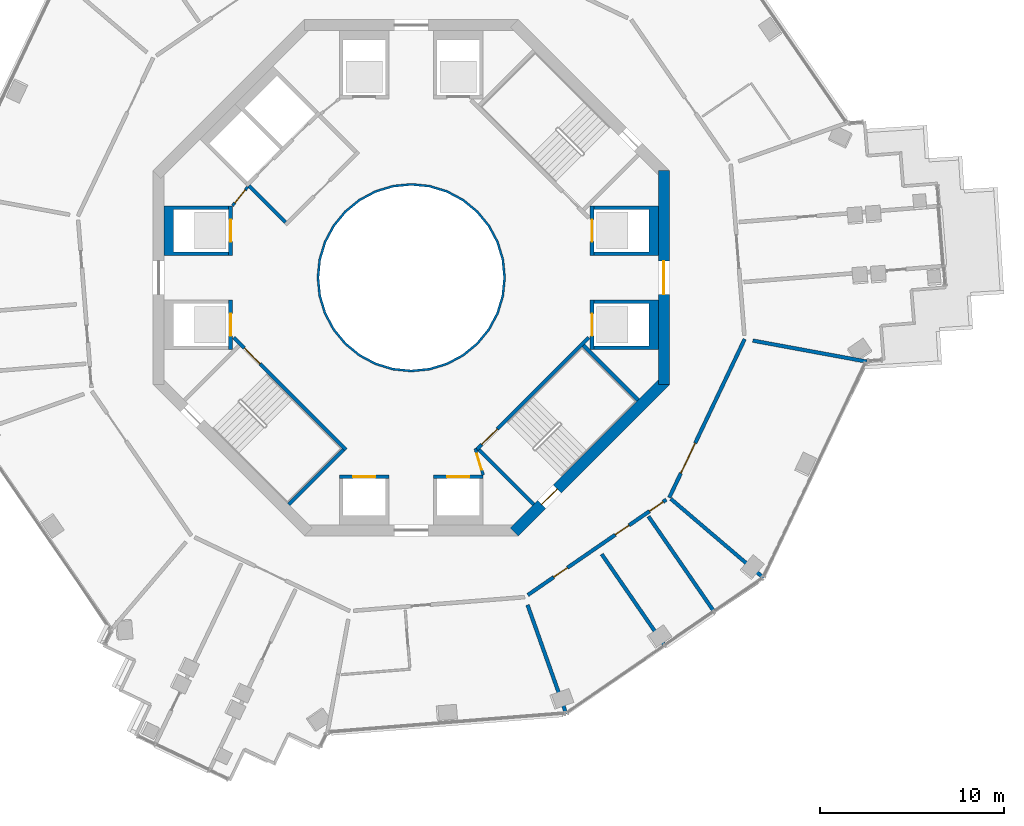
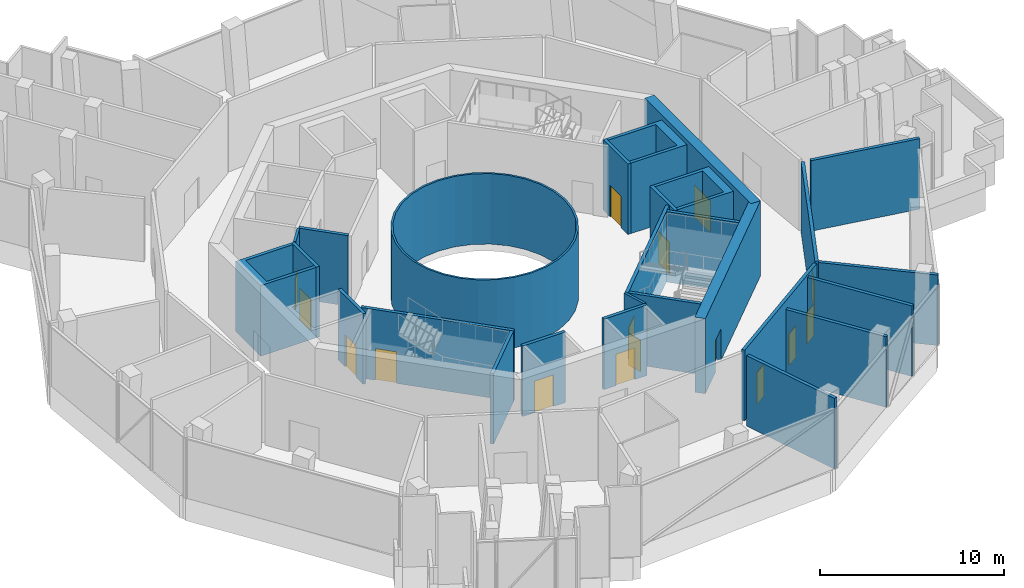
# One storey, part 12 of 21: 27 walls, 16 doors, 16 openings.
"""IFC4 building model written with IfcOpenShell, lengths in metres."""

from ifc_helpers import new_model, si_unit, direction, frame, frame_2d, origin, place, context, subcontext, project, spatial, polyline, rectangle, outline, extrude, material, layer, layer_set, type_object, element, fill, save


model = new_model("IFC4")

# Units and contexts
model_context = context("Model", 3, precision=1e-05, world=origin(), true_north=direction((0.0, 1.0)))
body_context = subcontext(model_context, "Body", "Model", "MODEL_VIEW")
ifc_project = project(units=[si_unit("LENGTHUNIT", "METRE"), si_unit("AREAUNIT", "SQUARE_METRE"), si_unit("VOLUMEUNIT", "CUBIC_METRE"), si_unit("PLANEANGLEUNIT", "RADIAN"), si_unit("MASSUNIT", "GRAM", prefix="KILO")], contexts=[model_context])

# Site, building, storey
site_placement = place(None, origin())
site = spatial("IfcSite", under=ifc_project, at=site_placement, CompositionType="ELEMENT")
building_placement = place(site_placement, origin())
building = spatial("IfcBuilding", under=site, at=building_placement, Name="Verdalira Terraces Hotel", CompositionType="ELEMENT")
storey_placement = place(building_placement, frame((0.0, 0.0, 175.0)))
storey = spatial("IfcBuildingStorey", under=building, at=storey_placement, Name="L42", CompositionType="ELEMENT", Elevation=175.0)

# Walls
ifc_material_1 = material(Name="Fire-resisting glass EI 180", Category="glass")
ifc_layer_1 = layer(ifc_material_1, 0.1201171875)
ifc_layer_set_1 = layer_set([ifc_layer_1], Name="Atrium fire screen 120 mm")
wall_type_1 = type_object("IfcWallType", Name="Atrium fire screen 120 mm", PredefinedType="SOLIDWALL", material=ifc_layer_set_1)
wall_1_placement = place(storey_placement, origin())
element("IfcWall", 1, at=wall_1_placement, inside=storey, type_object=wall_type_1, Name="Atrium fire screen", PredefinedType="SOLIDWALL", context=body_context, shape_type="SweptSolid", body=[
    extrude(outline(polyline([(5.021484, -0.998779), (4.730225, -1.959229), (4.25708, -2.844482), (3.620361, -3.620361), (2.844482, -4.25708), (1.959229, -4.730225), (0.998779, -5.021484), (0.0, -5.120117), (-0.998779, -5.021484), (-1.959229, -4.730225), (-2.844482, -4.25708), (-3.620361, -3.620361), (-4.25708, -2.844482), (-4.730225, -1.959229), (-5.021484, -0.998779), (-5.120117, 0.0), (-5.021484, 0.998779), (-4.730225, 1.959229), (-4.25708, 2.844482), (-3.620361, 3.620361), (-2.844482, 4.25708), (-1.959229, 4.730225), (-0.998779, 5.021484), (0.0, 5.120117), (0.998779, 5.021484), (1.959229, 4.730225), (2.844482, 4.25708), (3.620361, 3.620361), (4.25708, 2.844482), (4.730225, 1.959229), (5.021484, 0.998779), (5.120117, 0.0), (5.021484, -0.998779)]), holes=[polyline([(4.903809, 0.975586), (4.619385, 1.91333), (4.157227, 2.777832), (3.5354, 3.5354), (2.777832, 4.157227), (1.91333, 4.619385), (0.975586, 4.903809), (0.0, 5.0), (-0.975586, 4.903809), (-1.91333, 4.619385), (-2.777832, 4.157227), (-3.5354, 3.5354), (-4.157227, 2.777832), (-4.619385, 1.91333), (-4.903809, 0.975586), (-5.0, 0.0), (-4.903809, -0.975586), (-4.619385, -1.91333), (-4.157227, -2.777832), (-3.5354, -3.5354), (-2.777832, -4.157227), (-1.91333, -4.619385), (-0.975586, -4.903809), (0.0, -5.0), (0.975586, -4.903809), (1.91333, -4.619385), (2.777832, -4.157227), (3.5354, -3.5354), (4.157227, -2.777832), (4.619385, -1.91333), (4.903809, -0.975586), (5.0, 0.0), (4.903809, 0.975586)])]), origin(), (0.0, 0.0, 1.0), 4.689941),
])
ifc_material_2 = material(Name="Concrete C50", Category="concrete")
ifc_layer_2 = layer(ifc_material_2, 0.199951171875)
ifc_layer_set_2 = layer_set([ifc_layer_2], Name="Core RC wall 200 C50")
wall_type_2 = type_object("IfcWallType", Name="Core RC wall 200 C50", PredefinedType="SOLIDWALL", material=ifc_layer_set_2)
wall_2_placement = place(storey_placement, origin())
element("IfcWall", 2, at=wall_2_placement, inside=storey, type_object=wall_type_2, Name="L42 shaft wall E1", PredefinedType="SOLIDWALL", context=body_context, shape_type="SweptSolid", body=[
    extrude(outline(polyline([(13.399902, -3.899902), (9.899902, -3.899902), (9.899902, -3.699951), (12.899902, -3.699951), (12.899902, -1.399902), (9.899902, -1.399902), (9.899902, -1.199951), (13.399902, -1.199951), (13.399902, -3.899902)])), origin(), (0.0, 0.0, 1.0), 4.689941),
])

# Wall, opening, door
wall_3_placement = place(storey_placement, frame((9.800049, -1.199951, 0.0), z_axis=(0.0, 0.0, 1.0), x_axis=(0.0, -1.0, 0.0)))
wall_3 = element("IfcWall", 3, at=wall_3_placement, inside=storey, type_object=wall_type_2, Name="L42 shaft front wall E1", PredefinedType="SOLIDWALL", context=body_context, shape_type="SweptSolid", body=[
    extrude(rectangle(XDim=2.699951, YDim=0.199951, at=frame_2d((1.350098, 0.0))), origin(), (0.0, 0.0, 1.0), 4.689941),
])
opening_1_placement = place(wall_3_placement, frame((0.75, 0.0, 0.0)))
opening_1 = element("IfcOpeningElement", 4, at=opening_1_placement, cuts=wall_3, Name="Opening LD-L42-801", PredefinedType="OPENING", context=body_context, shape_type="SweptSolid", body=[
    extrude(rectangle(XDim=1.199951, YDim=2.100098, at=frame_2d((0.600098, 1.050049))), frame((0.0, 0.109863, 0.0), z_axis=(0.0, -1.0, 0.0), x_axis=(1.0, 0.0, 0.0)), (0.0, 0.0, 1.0), 0.219971),
])
ifc_material_3 = material(Name="Stainless steel", Category="steel")
door_type_1 = type_object("IfcDoorType", Name="Landing door 1200 x 2100", OperationType="NOTDEFINED", PredefinedType="DOOR", material=ifc_material_3)
door_1_placement = place(opening_1_placement, origin())
door_1 = element("IfcDoor", 5, at=door_1_placement, inside=storey, type_object=door_type_1, Name="Lift landing door HR1 L42", OperationType="DOUBLE_DOOR_SLIDING", OverallHeight=2.10009765625, OverallWidth=1.199951171875, PredefinedType="DOOR", context=body_context, shape_type="SweptSolid", body=[
    extrude(rectangle(XDim=1.199951, YDim=2.100098, at=frame_2d((0.600098, 1.050049))), frame((0.0, 0.024902, 0.0), z_axis=(0.0, -1.0, 0.0), x_axis=(1.0, 0.0, 0.0)), (0.0, 0.0, 1.0), 0.050049),
])
fill(opening_1, door_1)

# Wall
wall_4_placement = place(storey_placement, origin())
element("IfcWall", 6, at=wall_4_placement, inside=storey, type_object=wall_type_2, Name="L42 shaft wall E2", PredefinedType="SOLIDWALL", context=body_context, shape_type="SweptSolid", body=[
    extrude(outline(polyline([(13.399902, 3.899902), (13.399902, 1.199951), (9.899902, 1.199951), (9.899902, 1.399902), (12.899902, 1.399902), (12.899902, 3.699951), (9.899902, 3.699951), (9.899902, 3.899902), (13.399902, 3.899902)])), origin(), (0.0, 0.0, 1.0), 4.689941),
])

# Wall, opening, door
wall_5_placement = place(storey_placement, frame((9.800049, 1.199951, 0.0), z_axis=(0.0, 0.0, 1.0), x_axis=(0.0, 1.0, 0.0)))
wall_5 = element("IfcWall", 7, at=wall_5_placement, inside=storey, type_object=wall_type_2, Name="L42 shaft front wall E2", PredefinedType="SOLIDWALL", context=body_context, shape_type="SweptSolid", body=[
    extrude(rectangle(XDim=2.699951, YDim=0.199951, at=frame_2d((1.350098, 0.0))), origin(), (0.0, 0.0, 1.0), 4.689941),
])
opening_2_placement = place(wall_5_placement, frame((0.75, 0.0, 0.0)))
opening_2 = element("IfcOpeningElement", 8, at=opening_2_placement, cuts=wall_5, Name="Opening LD-L42-802", PredefinedType="OPENING", context=body_context, shape_type="SweptSolid", body=[
    extrude(rectangle(XDim=1.199951, YDim=2.100098, at=frame_2d((0.600098, 1.050049))), frame((0.0, 0.109863, 0.0), z_axis=(0.0, -1.0, 0.0), x_axis=(1.0, 0.0, 0.0)), (0.0, 0.0, 1.0), 0.219971),
])
door_2_placement = place(opening_2_placement, origin())
door_2 = element("IfcDoor", 9, at=door_2_placement, inside=storey, type_object=door_type_1, Name="Lift landing door HR2 L42", OperationType="DOUBLE_DOOR_SLIDING", OverallHeight=2.10009765625, OverallWidth=1.199951171875, PredefinedType="DOOR", context=body_context, shape_type="SweptSolid", body=[
    extrude(rectangle(XDim=1.199951, YDim=2.100098, at=frame_2d((0.600098, 1.050049))), frame((0.0, 0.024902, 0.0), z_axis=(0.0, -1.0, 0.0), x_axis=(1.0, 0.0, 0.0)), (0.0, 0.0, 1.0), 0.050049),
])
fill(opening_2, door_2)

# Wall
wall_6_placement = place(storey_placement, origin())
element("IfcWall", 10, at=wall_6_placement, inside=storey, type_object=wall_type_2, Name="L42 shaft wall W1", PredefinedType="SOLIDWALL", context=body_context, shape_type="SweptSolid", body=[
    extrude(outline(polyline([(-13.399902, 3.899902), (-9.899902, 3.899902), (-9.899902, 3.699951), (-12.899902, 3.699951), (-12.899902, 1.399902), (-9.899902, 1.399902), (-9.899902, 1.199951), (-13.399902, 1.199951), (-13.399902, 3.899902)])), origin(), (0.0, 0.0, 1.0), 4.689941),
])

# Wall, opening, door
wall_7_placement = place(storey_placement, frame((-9.800049, 1.199951, 0.0), z_axis=(0.0, 0.0, 1.0), x_axis=(0.0, 1.0, 0.0)))
wall_7 = element("IfcWall", 11, at=wall_7_placement, inside=storey, type_object=wall_type_2, Name="L42 shaft front wall W1", PredefinedType="SOLIDWALL", context=body_context, shape_type="SweptSolid", body=[
    extrude(rectangle(XDim=2.699951, YDim=0.199951, at=frame_2d((1.350098, 0.0))), origin(), (0.0, 0.0, 1.0), 4.689941),
])
opening_3_placement = place(wall_7_placement, frame((0.75, 0.0, 0.0)))
opening_3 = element("IfcOpeningElement", 12, at=opening_3_placement, cuts=wall_7, Name="Opening LD-L42-805", PredefinedType="OPENING", context=body_context, shape_type="SweptSolid", body=[
    extrude(rectangle(XDim=1.199951, YDim=2.100098, at=frame_2d((0.600098, 1.050049))), frame((0.0, 0.109863, 0.0), z_axis=(0.0, -1.0, 0.0), x_axis=(1.0, 0.0, 0.0)), (0.0, 0.0, 1.0), 0.219971),
])
door_3_placement = place(opening_3_placement, origin())
door_3 = element("IfcDoor", 13, at=door_3_placement, inside=storey, type_object=door_type_1, Name="Lift landing door HR5 L42", OperationType="DOUBLE_DOOR_SLIDING", OverallHeight=2.10009765625, OverallWidth=1.199951171875, PredefinedType="DOOR", context=body_context, shape_type="SweptSolid", body=[
    extrude(rectangle(XDim=1.199951, YDim=2.100098, at=frame_2d((0.600098, 1.050049))), frame((0.0, 0.024902, 0.0), z_axis=(0.0, -1.0, 0.0), x_axis=(1.0, 0.0, 0.0)), (0.0, 0.0, 1.0), 0.050049),
])
fill(opening_3, door_3)

wall_8_placement = place(storey_placement, frame((-9.800049, -1.199951, 0.0), z_axis=(0.0, 0.0, 1.0), x_axis=(0.0, -1.0, 0.0)))
wall_8 = element("IfcWall", 14, at=wall_8_placement, inside=storey, type_object=wall_type_2, Name="L42 shaft front wall W2", PredefinedType="SOLIDWALL", context=body_context, shape_type="SweptSolid", body=[
    extrude(rectangle(XDim=2.699951, YDim=0.199951, at=frame_2d((1.350098, 0.0))), origin(), (0.0, 0.0, 1.0), 4.689941),
])
opening_4_placement = place(wall_8_placement, frame((0.75, 0.0, 0.0)))
opening_4 = element("IfcOpeningElement", 15, at=opening_4_placement, cuts=wall_8, Name="Opening LD-L42-806", PredefinedType="OPENING", context=body_context, shape_type="SweptSolid", body=[
    extrude(rectangle(XDim=1.199951, YDim=2.100098, at=frame_2d((0.600098, 1.050049))), frame((0.0, 0.109863, 0.0), z_axis=(0.0, -1.0, 0.0), x_axis=(1.0, 0.0, 0.0)), (0.0, 0.0, 1.0), 0.219971),
])
door_4_placement = place(opening_4_placement, origin())
door_4 = element("IfcDoor", 16, at=door_4_placement, inside=storey, type_object=door_type_1, Name="Lift landing door HR6 L42", OperationType="DOUBLE_DOOR_SLIDING", OverallHeight=2.10009765625, OverallWidth=1.199951171875, PredefinedType="DOOR", context=body_context, shape_type="SweptSolid", body=[
    extrude(rectangle(XDim=1.199951, YDim=2.100098, at=frame_2d((0.600098, 1.050049))), frame((0.0, 0.024902, 0.0), z_axis=(0.0, -1.0, 0.0), x_axis=(1.0, 0.0, 0.0)), (0.0, 0.0, 1.0), 0.050049),
])
fill(opening_4, door_4)

wall_9_placement = place(storey_placement, frame((-1.199951, -10.800049, 0.0), z_axis=(0.0, 0.0, 1.0), x_axis=(-1.0, 0.0, 0.0)))
wall_9 = element("IfcWall", 17, at=wall_9_placement, inside=storey, type_object=wall_type_2, Name="L42 shaft front wall S1", PredefinedType="SOLIDWALL", context=body_context, shape_type="SweptSolid", body=[
    extrude(rectangle(XDim=2.699951, YDim=0.199951, at=frame_2d((1.350098, 0.0))), origin(), (0.0, 0.0, 1.0), 4.689941),
])
opening_5_placement = place(wall_9_placement, frame((0.75, 0.0, 0.0)))
opening_5 = element("IfcOpeningElement", 18, at=opening_5_placement, cuts=wall_9, Name="Opening LD-L42-807", PredefinedType="OPENING", context=body_context, shape_type="SweptSolid", body=[
    extrude(rectangle(XDim=1.199951, YDim=2.100098, at=frame_2d((0.600098, 1.050049))), frame((0.0, 0.109863, 0.0), z_axis=(0.0, -1.0, 0.0), x_axis=(1.0, 0.0, 0.0)), (0.0, 0.0, 1.0), 0.219971),
])
door_5_placement = place(opening_5_placement, origin())
door_5 = element("IfcDoor", 19, at=door_5_placement, inside=storey, type_object=door_type_1, Name="Lift landing door SH1 L42", OperationType="DOUBLE_DOOR_SLIDING", OverallHeight=2.10009765625, OverallWidth=1.199951171875, PredefinedType="DOOR", context=body_context, shape_type="SweptSolid", body=[
    extrude(rectangle(XDim=1.199951, YDim=2.100098, at=frame_2d((0.600098, 1.050049))), frame((0.0, 0.024902, 0.0), z_axis=(0.0, -1.0, 0.0), x_axis=(1.0, 0.0, 0.0)), (0.0, 0.0, 1.0), 0.050049),
])
fill(opening_5, door_5)

wall_10_placement = place(storey_placement, frame((1.199951, -10.800049, 0.0), z_axis=(0.0, 0.0, 1.0), x_axis=(1.0, 0.0, 0.0)))
wall_10 = element("IfcWall", 20, at=wall_10_placement, inside=storey, type_object=wall_type_2, Name="L42 shaft front wall S2", PredefinedType="SOLIDWALL", context=body_context, shape_type="SweptSolid", body=[
    extrude(rectangle(XDim=2.699951, YDim=0.199951, at=frame_2d((1.350098, 0.0))), origin(), (0.0, 0.0, 1.0), 4.689941),
])
opening_6_placement = place(wall_10_placement, frame((0.75, 0.0, 0.0)))
opening_6 = element("IfcOpeningElement", 21, at=opening_6_placement, cuts=wall_10, Name="Opening LD-L42-808", PredefinedType="OPENING", context=body_context, shape_type="SweptSolid", body=[
    extrude(rectangle(XDim=1.199951, YDim=2.100098, at=frame_2d((0.600098, 1.050049))), frame((0.0, 0.109863, 0.0), z_axis=(0.0, -1.0, 0.0), x_axis=(1.0, 0.0, 0.0)), (0.0, 0.0, 1.0), 0.219971),
])
door_6_placement = place(opening_6_placement, origin())
door_6 = element("IfcDoor", 22, at=door_6_placement, inside=storey, type_object=door_type_1, Name="Lift landing door SH2 L42", OperationType="DOUBLE_DOOR_SLIDING", OverallHeight=2.10009765625, OverallWidth=1.199951171875, PredefinedType="DOOR", context=body_context, shape_type="SweptSolid", body=[
    extrude(rectangle(XDim=1.199951, YDim=2.100098, at=frame_2d((0.600098, 1.050049))), frame((0.0, 0.024902, 0.0), z_axis=(0.0, -1.0, 0.0), x_axis=(1.0, 0.0, 0.0)), (0.0, 0.0, 1.0), 0.050049),
])
fill(opening_6, door_6)

wall_11_placement = place(storey_placement, frame((-3.5354, -9.33374, 0.0), z_axis=(0.0, 0.0, 1.0), x_axis=(-0.707120946, 0.707092617, 0.0)))
wall_11 = element("IfcWall", 23, at=wall_11_placement, inside=storey, type_object=wall_type_2, Name="L42 stair ST2 front wall", PredefinedType="SOLIDWALL", context=body_context, shape_type="SweptSolid", body=[
    extrude(rectangle(XDim=8.61792, YDim=0.199951, at=frame_2d((4.309082, 0.0))), origin(), (0.0, 0.0, 1.0), 4.689941),
])
opening_7_placement = place(wall_11_placement, frame((6.600098, 0.0, 0.0)))
opening_7 = element("IfcOpeningElement", 24, at=opening_7_placement, cuts=wall_11, Name="Opening L42-812", PredefinedType="OPENING", context=body_context, shape_type="SweptSolid", body=[
    extrude(rectangle(XDim=1.199951, YDim=2.100098, at=frame_2d((0.600098, 1.050049))), frame((0.0, 0.109863, 0.0), z_axis=(0.0, -1.0, 0.0), x_axis=(1.0, 0.0, 0.0)), (0.0, 0.0, 1.0), 0.219971),
])
ifc_material_4 = material(Name="Steel fire door", Category="steel")
door_type_2 = type_object("IfcDoorType", Name="Stair door 1200 x 2100", OperationType="NOTDEFINED", PredefinedType="DOOR", material=ifc_material_4)
door_7_placement = place(opening_7_placement, origin())
door_7 = element("IfcDoor", 25, at=door_7_placement, inside=storey, type_object=door_type_2, Name="Stair door ST2 L42", OperationType="SINGLE_SWING_RIGHT", OverallHeight=2.10009765625, OverallWidth=1.199951171875, PredefinedType="DOOR", context=body_context, shape_type="SweptSolid", body=[
    extrude(rectangle(XDim=1.199951, YDim=2.100098, at=frame_2d((0.600098, 1.050049))), frame((0.0, 0.024902, 0.0), z_axis=(0.0, -1.0, 0.0), x_axis=(1.0, 0.0, 0.0)), (0.0, 0.0, 1.0), 0.050049),
])
fill(opening_7, door_7)

# Wall
wall_12_placement = place(storey_placement, frame((-3.677002, -9.33374, 0.0), z_axis=(0.0, 0.0, 1.0), x_axis=(-0.707077716, -0.707135845, 0.0)))
element("IfcWall", 26, at=wall_12_placement, inside=storey, type_object=wall_type_2, Name="L42 stair ST2 end wall 2", PredefinedType="SOLIDWALL", context=body_context, shape_type="SweptSolid", body=[
    extrude(rectangle(XDim=4.199951, YDim=0.199951, at=frame_2d((2.100098, 0.0))), origin(), (0.0, 0.0, 1.0), 4.689941),
])

# Wall, opening, door
wall_13_placement = place(storey_placement, frame((9.629395, -3.23999, 0.0), z_axis=(0.0, 0.0, 1.0), x_axis=(-0.707120946, -0.707092617, 0.0)))
wall_13 = element("IfcWall", 27, at=wall_13_placement, inside=storey, type_object=wall_type_2, Name="L42 stair ST3 front wall", PredefinedType="SOLIDWALL", context=body_context, shape_type="SweptSolid", body=[
    extrude(rectangle(XDim=8.61792, YDim=0.199951, at=frame_2d((4.309082, 0.0))), origin(), (0.0, 0.0, 1.0), 4.689941),
])
opening_8_placement = place(wall_13_placement, frame((7.017822, 0.0, 0.0)))
opening_8 = element("IfcOpeningElement", 28, at=opening_8_placement, cuts=wall_13, Name="Opening L42-813", PredefinedType="OPENING", context=body_context, shape_type="SweptSolid", body=[
    extrude(rectangle(XDim=1.199951, YDim=2.100098, at=frame_2d((0.600098, 1.050049))), frame((0.0, 0.109863, 0.0), z_axis=(0.0, -1.0, 0.0), x_axis=(1.0, 0.0, 0.0)), (0.0, 0.0, 1.0), 0.219971),
])
door_8_placement = place(opening_8_placement, origin())
door_8 = element("IfcDoor", 29, at=door_8_placement, inside=storey, type_object=door_type_2, Name="Stair door ST3 L42", OperationType="SINGLE_SWING_RIGHT", OverallHeight=2.10009765625, OverallWidth=1.199951171875, PredefinedType="DOOR", context=body_context, shape_type="SweptSolid", body=[
    extrude(rectangle(XDim=1.199951, YDim=2.100098, at=frame_2d((0.600098, 1.050049))), frame((0.0, 0.024902, 0.0), z_axis=(0.0, -1.0, 0.0), x_axis=(1.0, 0.0, 0.0)), (0.0, 0.0, 1.0), 0.050049),
])
fill(opening_8, door_8)

# Walls
for number, where, z_axis, x_axis, name in (
    (30, (3.677002, -9.33374, 0.0), (0.0, 0.0, 1.0), (0.707077716, -0.707135845, 0.0), "L42 stair ST3 end wall 1"),
    (31, (9.33374, -3.677002, 0.0), (0.0, 0.0, 1.0), (0.707135845, -0.707077716, 0.0), "L42 stair ST3 end wall 2"),
):
    element("IfcWall", number, at=place(storey_placement, frame(where, z_axis=z_axis, x_axis=x_axis)), inside=storey, type_object=wall_type_2, Name=name, PredefinedType="SOLIDWALL", context=body_context, shape_type="SweptSolid", body=[
        extrude(rectangle(XDim=4.199951, YDim=0.199951, at=frame_2d((2.100098, 0.0))), origin(), (0.0, 0.0, 1.0), 4.689941),
    ])
wall_14_placement = place(storey_placement, frame((-6.823486, 3.005127, 0.0), z_axis=(0.0, 0.0, 1.0), x_axis=(-0.707106781, 0.707106781, 0.0)))
element("IfcWall", 32, at=wall_14_placement, inside=storey, type_object=wall_type_2, Name="L42 fire lobby wall", PredefinedType="SOLIDWALL", context=body_context, shape_type="SweptSolid", body=[
    extrude(rectangle(XDim=2.800049, YDim=0.199951, at=frame_2d((1.399902, 0.0))), origin(), (0.0, 0.0, 1.0), 4.689941),
])

# Wall, opening, door
ifc_material_5 = material(Name="Gypsum board partition")
ifc_layer_3 = layer(ifc_material_5, 0.14990234375)
ifc_layer_set_3 = layer_set([ifc_layer_3], Name="Core partition 150 mm")
wall_type_3 = type_object("IfcWallType", Name="Core partition 150 mm", PredefinedType="PARTITIONING", material=ifc_layer_set_3)
wall_15_placement = place(storey_placement, frame((-8.874268, 4.914307, 0.0), z_axis=(0.0, 0.0, 1.0), x_axis=(-0.631274009, -0.775559878, 0.0)))
wall_15 = element("IfcWall", 33, at=wall_15_placement, inside=storey, type_object=wall_type_3, Name="Room partition L42", PredefinedType="PARTITIONING", context=body_context, shape_type="SweptSolid", body=[
    extrude(rectangle(XDim=1.307861, YDim=0.149902, at=frame_2d((0.653809, 0.0))), origin(), (0.0, 0.0, 1.0), 4.689941),
])
opening_9_placement = place(wall_15_placement, frame((0.204102, 0.0, 0.0)))
opening_9 = element("IfcOpeningElement", 34, at=opening_9_placement, cuts=wall_15, Name="Opening L42-823", PredefinedType="OPENING", context=body_context, shape_type="SweptSolid", body=[
    extrude(rectangle(XDim=0.899902, YDim=2.100098, at=frame_2d((0.449951, 1.050049))), frame((0.0, 0.084961, 0.0), z_axis=(0.0, -1.0, 0.0), x_axis=(1.0, 0.0, 0.0)), (0.0, 0.0, 1.0), 0.169922),
])
ifc_material_6 = material(Name="Steel fire door", Category="steel")
door_type_3 = type_object("IfcDoorType", Name="Core room door 900 x 2100", OperationType="NOTDEFINED", PredefinedType="DOOR", material=ifc_material_6)
door_9_placement = place(opening_9_placement, origin())
door_9 = element("IfcDoor", 35, at=door_9_placement, inside=storey, type_object=door_type_3, Name="Door L42 room3", OperationType="SINGLE_SWING_LEFT", OverallHeight=2.10009765625, OverallWidth=0.89990234375, PredefinedType="DOOR", context=body_context, shape_type="SweptSolid", body=[
    extrude(rectangle(XDim=0.899902, YDim=2.100098, at=frame_2d((0.449951, 1.050049))), frame((0.0, 0.024902, 0.0), z_axis=(0.0, -1.0, 0.0), x_axis=(1.0, 0.0, 0.0)), (0.0, 0.0, 1.0), 0.050049),
])
fill(opening_9, door_9)

wall_16_placement = place(storey_placement, frame((3.899902, -10.699951, 0.0), z_axis=(0.0, 0.0, 1.0), x_axis=(-0.289808785, 0.957084567, 0.0)))
wall_16 = element("IfcWall", 36, at=wall_16_placement, inside=storey, type_object=wall_type_3, Name="Room partition L42", PredefinedType="PARTITIONING", context=body_context, shape_type="SweptSolid", body=[
    extrude(rectangle(XDim=1.501221, YDim=0.149902, at=frame_2d((0.750488, 0.0))), origin(), (0.0, 0.0, 1.0), 4.689941),
])
opening_10_placement = place(wall_16_placement, frame((0.300781, 0.0, 0.0)))
opening_10 = element("IfcOpeningElement", 37, at=opening_10_placement, cuts=wall_16, Name="Opening L42-824", PredefinedType="OPENING", context=body_context, shape_type="SweptSolid", body=[
    extrude(rectangle(XDim=0.899902, YDim=2.100098, at=frame_2d((0.449951, 1.050049))), frame((0.0, 0.084961, 0.0), z_axis=(0.0, -1.0, 0.0), x_axis=(1.0, 0.0, 0.0)), (0.0, 0.0, 1.0), 0.169922),
])
door_10_placement = place(opening_10_placement, origin())
door_10 = element("IfcDoor", 38, at=door_10_placement, inside=storey, type_object=door_type_3, Name="Door L42 room6", OperationType="SINGLE_SWING_LEFT", OverallHeight=2.10009765625, OverallWidth=0.89990234375, PredefinedType="DOOR", context=body_context, shape_type="SweptSolid", body=[
    extrude(rectangle(XDim=0.899902, YDim=2.100098, at=frame_2d((0.449951, 1.050049))), frame((0.0, 0.024902, 0.0), z_axis=(0.0, -1.0, 0.0), x_axis=(1.0, 0.0, 0.0)), (0.0, 0.0, 1.0), 0.050049),
])
fill(opening_10, door_10)

ifc_material_7 = material(Name="Concrete C60", Category="concrete")
ifc_layer_4 = layer(ifc_material_7, 0.60009765625)
ifc_layer_set_4 = layer_set([ifc_layer_4], Name="Core wall 600 C60")
wall_type_4 = type_object("IfcWallType", Name="Core wall 600 C60", PredefinedType="SHEAR", material=ifc_layer_set_4)
wall_17_placement = place(storey_placement, frame((13.699951, -5.799072, 0.0), z_axis=(0.0, 0.0, 1.0), x_axis=(0.0, 1.0, 0.0)))
wall_17 = element("IfcWall", 39, at=wall_17_placement, inside=storey, type_object=wall_type_4, Name="Core wall CW-L42-1", PredefinedType="SHEAR", context=body_context, shape_type="SweptSolid", body=[
    extrude(rectangle(XDim=11.598145, YDim=0.600098, at=frame_2d((5.799072, 0.0))), origin(), (0.0, 0.0, 1.0), 5.0),
])
opening_11_placement = place(wall_17_placement, frame((4.898926, 0.0, 0.0)))
opening_11 = element("IfcOpeningElement", 40, at=opening_11_placement, cuts=wall_17, Name="Opening L42-814", PredefinedType="OPENING", context=body_context, shape_type="SweptSolid", body=[
    extrude(rectangle(XDim=1.800049, YDim=2.100098, at=frame_2d((0.899902, 1.050049))), frame((0.0, 0.310059, 0.0), z_axis=(0.0, -1.0, 0.0), x_axis=(1.0, 0.0, 0.0)), (0.0, 0.0, 1.0), 0.620117),
])
ifc_material_8 = material(Name="Steel fire door", Category="steel")
door_type_4 = type_object("IfcDoorType", Name="Core entry door pair 1800 x 2100", OperationType="NOTDEFINED", PredefinedType="DOOR", material=ifc_material_8)
door_11_placement = place(opening_11_placement, origin())
door_11 = element("IfcDoor", 41, at=door_11_placement, inside=storey, type_object=door_type_4, Name="Core entry door L42 0", OperationType="DOUBLE_DOOR_SINGLE_SWING", OverallHeight=2.10009765625, OverallWidth=1.800048828125, PredefinedType="DOOR", context=body_context, shape_type="SweptSolid", body=[
    extrude(rectangle(XDim=1.800049, YDim=2.100098, at=frame_2d((0.899902, 1.050049))), frame((0.0, 0.024902, 0.0), z_axis=(0.0, -1.0, 0.0), x_axis=(1.0, 0.0, 0.0)), (0.0, 0.0, 1.0), 0.050049),
])
fill(opening_11, door_11)

wall_18_placement = place(storey_placement, frame((5.586914, -13.787842, 0.0), z_axis=(0.0, 0.0, 1.0), x_axis=(0.707106781, 0.707106781, 0.0)))
wall_18 = element("IfcWall", 42, at=wall_18_placement, inside=storey, type_object=wall_type_4, Name="Core wall CW-L42-8", PredefinedType="SHEAR", context=body_context, shape_type="SweptSolid", body=[
    extrude(rectangle(XDim=11.5979, YDim=0.600098, at=frame_2d((5.798828, 0.0))), origin(), (0.0, 0.0, 1.0), 5.0),
])
opening_12_placement = place(wall_18_placement, frame((2.099121, 0.0, 0.0)))
opening_12 = element("IfcOpeningElement", 43, at=opening_12_placement, cuts=wall_18, Name="Opening L42-820", PredefinedType="OPENING", context=body_context, shape_type="SweptSolid", body=[
    extrude(rectangle(XDim=1.199951, YDim=2.100098, at=frame_2d((0.600098, 1.050049))), frame((0.0, 0.310059, 0.0), z_axis=(0.0, -1.0, 0.0), x_axis=(1.0, 0.0, 0.0)), (0.0, 0.0, 1.0), 0.620117),
])
door_12_placement = place(opening_12_placement, origin())
door_12 = element("IfcDoor", 44, at=door_12_placement, inside=storey, type_object=door_type_2, Name="Stair exit door ST3 L42", OperationType="SINGLE_SWING_LEFT", OverallHeight=2.10009765625, OverallWidth=1.199951171875, PredefinedType="DOOR", context=body_context, shape_type="SweptSolid", body=[
    extrude(rectangle(XDim=1.199951, YDim=2.100098, at=frame_2d((0.600098, 1.050049))), frame((0.0, 0.024902, 0.0), z_axis=(0.0, -1.0, 0.0), x_axis=(1.0, 0.0, 0.0)), (0.0, 0.0, 1.0), 0.050049),
])
fill(opening_12, door_12)

# Wall
ifc_material_9 = material(Name="Fire-rated gypsum board wall")
ifc_layer_5 = layer(ifc_material_9, 0.199951171875)
ifc_layer_set_5 = layer_set([ifc_layer_5], Name="Demising wall 200 mm")
wall_type_5 = type_object("IfcWallType", Name="Demising wall 200 mm", PredefinedType="SOLIDWALL", material=ifc_layer_set_5)
wall_19_placement = place(storey_placement, frame((24.698242, -4.550781, 0.0), z_axis=(0.0, 0.0, 1.0), x_axis=(-0.983449362, 0.181183202, 0.0)))
element("IfcWall", 45, at=wall_19_placement, inside=storey, type_object=wall_type_5, Name="Demising wall", PredefinedType="SOLIDWALL", context=body_context, shape_type="SweptSolid", body=[
    extrude(rectangle(XDim=6.281982, YDim=0.199951, at=frame_2d((3.141113, 0.0))), origin(), (0.0, 0.0, 1.0), 4.689941),
])

# Wall, openings, doors
ifc_material_10 = material(Name="Fire-rated gypsum board wall")
ifc_layer_6 = layer(ifc_material_10, 0.199951171875)
ifc_layer_set_6 = layer_set([ifc_layer_6], Name="Guest corridor wall 200 mm")
wall_type_6 = type_object("IfcWallType", Name="Guest corridor wall 200 mm", PredefinedType="SOLIDWALL", material=ifc_layer_set_6)
wall_20_placement = place(storey_placement, frame((13.827637, -12.038818, 0.0), z_axis=(0.0, 0.0, 1.0), x_axis=(-0.823541519, -0.567255998, 0.0)))
wall_20 = element("IfcWall", 46, at=wall_20_placement, inside=storey, type_object=wall_type_6, Name="Guest corridor wall", PredefinedType="SOLIDWALL", context=body_context, shape_type="SweptSolid", body=[
    extrude(rectangle(XDim=9.116455, YDim=0.199951, at=frame_2d((4.558105, 0.0))), origin(), (0.0, 0.0, 1.0), 4.689941),
])
opening_13_placement = place(wall_20_placement, frame((6.508301, 0.0, 0.0)))
opening_13 = element("IfcOpeningElement", 47, at=opening_13_placement, cuts=wall_20, Name="Opening L42-112", PredefinedType="OPENING", context=body_context, shape_type="SweptSolid", body=[
    extrude(rectangle(XDim=0.899902, YDim=2.100098, at=frame_2d((0.449951, 1.050049))), frame((0.0, 0.109863, 0.0), z_axis=(0.0, -1.0, 0.0), x_axis=(1.0, 0.0, 0.0)), (0.0, 0.0, 1.0), 0.219971),
])
opening_14_placement = place(wall_20_placement, frame((2.458252, 0.0, 0.0)))
opening_14 = element("IfcOpeningElement", 48, at=opening_14_placement, cuts=wall_20, Name="Opening L42-121", PredefinedType="OPENING", context=body_context, shape_type="SweptSolid", body=[
    extrude(rectangle(XDim=0.899902, YDim=2.100098, at=frame_2d((0.449951, 1.050049))), frame((0.0, 0.109863, 0.0), z_axis=(0.0, -1.0, 0.0), x_axis=(1.0, 0.0, 0.0)), (0.0, 0.0, 1.0), 0.219971),
])
opening_15_placement = place(wall_20_placement, frame((0.199951, 0.0, 0.0)))
opening_15 = element("IfcOpeningElement", 49, at=opening_15_placement, cuts=wall_20, Name="Opening L42-122", PredefinedType="OPENING", context=body_context, shape_type="SweptSolid", body=[
    extrude(rectangle(XDim=0.899902, YDim=2.100098, at=frame_2d((0.449951, 1.050049))), frame((0.0, 0.109863, 0.0), z_axis=(0.0, -1.0, 0.0), x_axis=(1.0, 0.0, 0.0)), (0.0, 0.0, 1.0), 0.219971),
])
ifc_material_11 = material(Name="Steel fire door", Category="steel")
door_type_5 = type_object("IfcDoorType", Name="Service room door 900 x 2100", OperationType="NOTDEFINED", PredefinedType="DOOR", material=ifc_material_11)
door_13_placement = place(opening_13_placement, origin())
door_13 = element("IfcDoor", 50, at=door_13_placement, inside=storey, type_object=door_type_5, Name="Service room door 4207", OperationType="SINGLE_SWING_LEFT", OverallHeight=2.10009765625, OverallWidth=0.89990234375, PredefinedType="DOOR", context=body_context, shape_type="SweptSolid", body=[
    extrude(rectangle(XDim=0.899902, YDim=2.100098, at=frame_2d((0.449951, 1.050049))), frame((0.0, 0.024902, 0.0), z_axis=(0.0, -1.0, 0.0), x_axis=(1.0, 0.0, 0.0)), (0.0, 0.0, 1.0), 0.050049),
])
fill(opening_13, door_13)
ifc_material_12 = material(Name="Timber fire door", Category="wood")
door_type_6 = type_object("IfcDoorType", Name="Toilet door 900 x 2100", OperationType="NOTDEFINED", PredefinedType="DOOR", material=ifc_material_12)
door_14_placement = place(opening_14_placement, origin())
door_14 = element("IfcDoor", 51, at=door_14_placement, inside=storey, type_object=door_type_6, Name="Toilet door 4212", OperationType="SINGLE_SWING_LEFT", OverallHeight=2.10009765625, OverallWidth=0.89990234375, PredefinedType="DOOR", context=body_context, shape_type="SweptSolid", body=[
    extrude(rectangle(XDim=0.899902, YDim=2.100098, at=frame_2d((0.449951, 1.050049))), frame((0.0, 0.024902, 0.0), z_axis=(0.0, -1.0, 0.0), x_axis=(1.0, 0.0, 0.0)), (0.0, 0.0, 1.0), 0.050049),
])
fill(opening_14, door_14)
door_15_placement = place(opening_15_placement, origin())
door_15 = element("IfcDoor", 52, at=door_15_placement, inside=storey, type_object=door_type_6, Name="Toilet door 4213", OperationType="SINGLE_SWING_LEFT", OverallHeight=2.10009765625, OverallWidth=0.89990234375, PredefinedType="DOOR", context=body_context, shape_type="SweptSolid", body=[
    extrude(rectangle(XDim=0.899902, YDim=2.100098, at=frame_2d((0.449951, 1.050049))), frame((0.0, 0.024902, 0.0), z_axis=(0.0, -1.0, 0.0), x_axis=(1.0, 0.0, 0.0)), (0.0, 0.0, 1.0), 0.050049),
])
fill(opening_15, door_15)

# Wall, opening, door
wall_21_placement = place(storey_placement, frame((18.080322, -3.331543, 0.0), z_axis=(0.0, 0.0, 1.0), x_axis=(-0.429559111, -0.903038742, 0.0)))
wall_21 = element("IfcWall", 53, at=wall_21_placement, inside=storey, type_object=wall_type_6, Name="Guest corridor wall", PredefinedType="SOLIDWALL", context=body_context, shape_type="SweptSolid", body=[
    extrude(rectangle(XDim=9.516602, YDim=0.199951, at=frame_2d((4.758301, 0.0))), origin(), (0.0, 0.0, 1.0), 4.689941),
])
opening_16_placement = place(wall_21_placement, frame((6.25, 0.0, 0.0)))
opening_16 = element("IfcOpeningElement", 54, at=opening_16_placement, cuts=wall_21, Name="Opening L42-113", PredefinedType="OPENING", context=body_context, shape_type="SweptSolid", body=[
    extrude(rectangle(XDim=1.800049, YDim=2.100098, at=frame_2d((0.899902, 1.050049))), frame((0.0, 0.109863, 0.0), z_axis=(0.0, -1.0, 0.0), x_axis=(1.0, 0.0, 0.0)), (0.0, 0.0, 1.0), 0.219971),
])
ifc_material_13 = material(Name="Timber fire door", Category="wood")
door_type_7 = type_object("IfcDoorType", Name="Public room double door 1800 x 2100", OperationType="NOTDEFINED", PredefinedType="DOOR", material=ifc_material_13)
door_16_placement = place(opening_16_placement, origin())
door_16 = element("IfcDoor", 55, at=door_16_placement, inside=storey, type_object=door_type_7, Name="Public room double door 4208", OperationType="DOUBLE_DOOR_SINGLE_SWING", OverallHeight=2.10009765625, OverallWidth=1.800048828125, PredefinedType="DOOR", context=body_context, shape_type="SweptSolid", body=[
    extrude(rectangle(XDim=1.800049, YDim=2.100098, at=frame_2d((0.899902, 1.050049))), frame((0.0, 0.024902, 0.0), z_axis=(0.0, -1.0, 0.0), x_axis=(1.0, 0.0, 0.0)), (0.0, 0.0, 1.0), 0.050049),
])
fill(opening_16, door_16)

# Walls
ifc_material_14 = material(Name="Fire-rated gypsum board wall")
ifc_layer_7 = layer(ifc_material_14, 0.199951171875)
ifc_layer_set_7 = layer_set([ifc_layer_7], Name="Service room wall 200 mm")
wall_type_7 = type_object("IfcWallType", Name="Service room wall 200 mm", PredefinedType="SOLIDWALL", material=ifc_layer_set_7)
wall_22_placement = place(storey_placement, frame((8.407959, -23.664795, 0.0), z_axis=(0.0, 0.0, 1.0), x_axis=(-0.334775042, 0.94229808, 0.0)))
element("IfcWall", 56, at=wall_22_placement, inside=storey, type_object=wall_type_7, Name="Service room wall", PredefinedType="SOLIDWALL", context=body_context, shape_type="SweptSolid", body=[
    extrude(rectangle(XDim=6.281982, YDim=0.199951, at=frame_2d((3.141113, 0.0))), origin(), (0.0, 0.0, 1.0), 4.689941),
])
wall_23_placement = place(storey_placement, frame((10.327393, -14.99292, 0.0), z_axis=(0.0, 0.0, 1.0), x_axis=(0.567276666, -0.823527282, 0.0)))
element("IfcWall", 57, at=wall_23_placement, inside=storey, type_object=wall_type_7, Name="Service room wall", PredefinedType="SOLIDWALL", context=body_context, shape_type="SweptSolid", body=[
    extrude(rectangle(XDim=6.052734, YDim=0.199951, at=frame_2d((3.026367, 0.0))), origin(), (0.0, 0.0, 1.0), 4.689941),
])
wall_24_placement = place(storey_placement, frame((12.86377, -12.945557, 0.0), z_axis=(0.0, 0.0, 1.0), x_axis=(0.56726377, -0.823536165, 0.0)))
element("IfcWall", 58, at=wall_24_placement, inside=storey, type_object=wall_type_7, Name="Service room wall", PredefinedType="SOLIDWALL", context=body_context, shape_type="SweptSolid", body=[
    extrude(rectangle(XDim=6.300049, YDim=0.199951, at=frame_2d((3.149902, 0.0))), origin(), (0.0, 0.0, 1.0), 4.689941),
])
wall_25_placement = place(storey_placement, frame((19.114014, -16.290283, 0.0), z_axis=(0.0, 0.0, 1.0), x_axis=(-0.761074746, 0.64866419, 0.0)))
element("IfcWall", 59, at=wall_25_placement, inside=storey, type_object=wall_type_7, Name="Service room wall", PredefinedType="SOLIDWALL", context=body_context, shape_type="SweptSolid", body=[
    extrude(rectangle(XDim=6.624268, YDim=0.199951, at=frame_2d((3.312012, 0.0))), origin(), (0.0, 0.0, 1.0), 4.689941),
])

save(model, "model.ifc")
